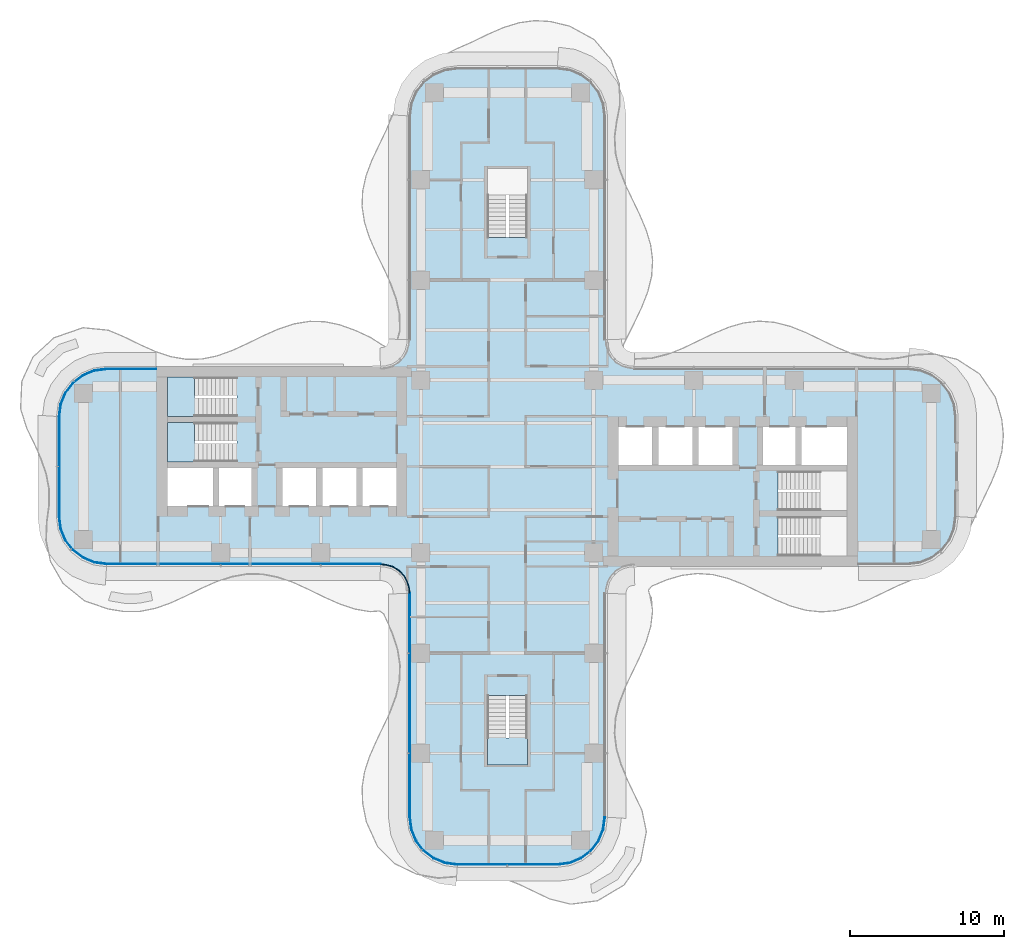
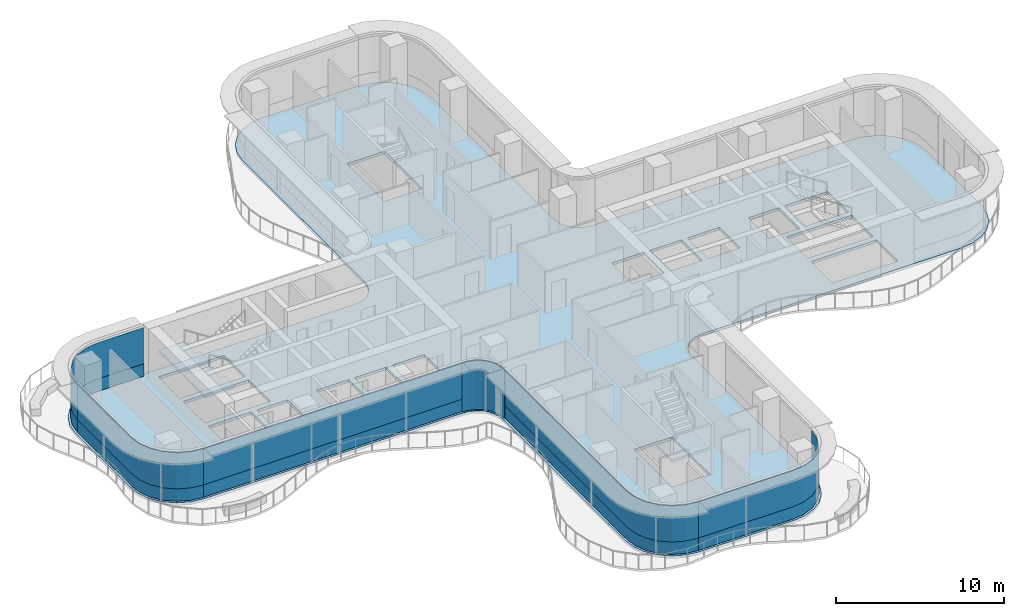
# One storey, part 9 of 17: 11 plates, 4 slabs, 9 elements without a shape of their own.
"""IFC4 building model written with IfcOpenShell, lengths in metres."""

from ifc_helpers import new_model, si_unit, direction, frame, origin, place, context, subcontext, project, spatial, polyline, outline, extrude, source, transform, mapped, material, layer, layer_set, type_object, element, aggregate, save


model = new_model("IFC4")

# Units and contexts
model_context = context("Model", 3, precision=1e-05, world=origin(), true_north=direction((0.0, 1.0)))
body_context = subcontext(model_context, "Body", "Model", "MODEL_VIEW")
ifc_project = project(units=[si_unit("LENGTHUNIT", "METRE"), si_unit("AREAUNIT", "SQUARE_METRE"), si_unit("VOLUMEUNIT", "CUBIC_METRE"), si_unit("PLANEANGLEUNIT", "RADIAN"), si_unit("MASSUNIT", "GRAM", prefix="KILO")], contexts=[model_context])

# Site, building, storey
site_placement = place(None, origin())
site = spatial("IfcSite", under=ifc_project, at=site_placement, CompositionType="ELEMENT")
building_placement = place(site_placement, origin())
building = spatial("IfcBuilding", under=site, at=building_placement, Name="Trellis Farm Tower", CompositionType="ELEMENT")
storey_placement = place(building_placement, frame((0.0, 0.0, 181.5)))
storey = spatial("IfcBuildingStorey", under=building, at=storey_placement, Name="L39", CompositionType="ELEMENT", Elevation=181.5)

# Slab
ifc_material_1 = material(Name="Concrete C40/50", Category="concrete")
ifc_layer_1 = layer(ifc_material_1, 0.199951171875)
ifc_layer_set_1 = layer_set([ifc_layer_1], Name="Composite deck floor slab 200")
slab_type_1 = type_object("IfcSlabType", Name="Composite deck floor slab 200", PredefinedType="FLOOR", material=ifc_layer_set_1)
shared_shape_1 = source(origin(), body_context, "Body", "SweptSolid", [
    extrude(outline(polyline([(-26.84130859375, -6.389404296875), (-27.625, -6.064697265625), (-28.298095703125, -5.548095703125), (-28.814697265625, -4.875), (-29.139404296875, -4.09130859375), (-29.25, -3.25), (-29.25, 3.25), (-29.139404296875, 4.09130859375), (-28.814697265625, 4.875), (-28.298095703125, 5.548095703125), (-27.625, 6.064697265625), (-26.84130859375, 6.389404296875), (-26.0, 6.5), (-8.2314453125, 6.5), (-8.01953125, 6.513916015625), (-7.91552734375, 6.527587890625), (-7.508544921875, 6.63671875), (-7.144287109375, 6.846923828125), (-6.846923828125, 7.144287109375), (-6.63671875, 7.508544921875), (-6.527587890625, 7.91552734375), (-6.513916015625, 8.01953125), (-6.5, 8.2314453125), (-6.5, 22.75), (-6.389404296875, 23.59130859375), (-6.064697265625, 24.375), (-5.548095703125, 25.048095703125), (-4.875, 25.564697265625), (-4.09130859375, 25.889404296875), (-3.25, 26.0), (3.25, 26.0), (4.09130859375, 25.889404296875), (4.875, 25.564697265625), (5.548095703125, 25.048095703125), (6.064697265625, 24.375), (6.389404296875, 23.59130859375), (6.5, 22.75), (6.5, 8.2314453125), (6.513916015625, 8.01953125), (6.527587890625, 7.91552734375), (6.63671875, 7.508544921875), (6.846923828125, 7.144287109375), (7.144287109375, 6.846923828125), (7.508544921875, 6.63671875), (7.91552734375, 6.527587890625), (8.01953125, 6.513916015625), (8.2314453125, 6.5), (26.0, 6.5), (26.84130859375, 6.389404296875), (27.625, 6.064697265625), (28.298095703125, 5.548095703125), (28.814697265625, 4.875), (29.139404296875, 4.09130859375), (29.25, 3.25), (29.25, -3.25), (29.139404296875, -4.09130859375), (28.814697265625, -4.875), (28.298095703125, -5.548095703125), (27.625, -6.064697265625), (26.84130859375, -6.389404296875), (26.0, -6.5), (8.2314453125, -6.5), (8.01953125, -6.513916015625), (7.91552734375, -6.527587890625), (7.508544921875, -6.63671875), (7.144287109375, -6.846923828125), (6.846923828125, -7.144287109375), (6.63671875, -7.508544921875), (6.527587890625, -7.91552734375), (6.513916015625, -8.01953125), (6.5, -8.2314453125), (6.5, -22.75), (6.389404296875, -23.59130859375), (6.064697265625, -24.375), (5.548095703125, -25.048095703125), (4.875, -25.564697265625), (4.09130859375, -25.889404296875), (3.25, -26.0), (-3.25, -26.0), (-4.09130859375, -25.889404296875), (-4.875, -25.564697265625), (-5.548095703125, -25.048095703125), (-6.064697265625, -24.375), (-6.389404296875, -23.59130859375), (-6.5, -22.75), (-6.5, -8.2314453125), (-6.513916015625, -8.01953125), (-6.527587890625, -7.91552734375), (-6.63671875, -7.508544921875), (-6.846923828125, -7.144287109375), (-7.144287109375, -6.846923828125), (-7.508544921875, -6.63671875), (-7.91552734375, -6.527587890625), (-8.01953125, -6.513916015625), (-8.2314453125, -6.5), (-26.0, -6.5), (-26.84130859375, -6.389404296875)]), holes=[polyline([(-22.050048828125, -0.10009765625), (-22.050048828125, -2.550048828125), (-19.10009765625, -2.550048828125), (-19.10009765625, -0.10009765625), (-22.050048828125, -0.10009765625)]), polyline([(-18.699951171875, -0.10009765625), (-18.699951171875, -2.550048828125), (-16.60009765625, -2.550048828125), (-16.60009765625, -0.10009765625), (-18.699951171875, -0.10009765625)]), polyline([(-14.60009765625, -0.10009765625), (-14.60009765625, -2.550048828125), (-12.39990234375, -2.550048828125), (-12.39990234375, -0.10009765625), (-14.60009765625, -0.10009765625)]), polyline([(-12.0, -0.10009765625), (-12.0, -2.550048828125), (-9.800048828125, -2.550048828125), (-9.800048828125, -0.10009765625), (-12.0, -0.10009765625)]), polyline([(-9.39990234375, -0.10009765625), (-9.39990234375, -2.550048828125), (-7.199951171875, -2.550048828125), (-7.199951171875, -0.10009765625), (-9.39990234375, -0.10009765625)]), polyline([(-17.56201171875, 1.64990234375), (-17.56201171875, 2.85009765625), (-22.050048828125, 2.85009765625), (-22.050048828125, 0.300048828125), (-17.56005859375, 0.300048828125), (-17.56005859375, 1.5), (-17.550048828125, 1.5), (-17.550048828125, 1.64990234375), (-17.56201171875, 1.64990234375)]), polyline([(-17.56201171875, 4.60009765625), (-17.56201171875, 5.800048828125), (-22.050048828125, 5.800048828125), (-22.050048828125, 3.25), (-17.56005859375, 3.25), (-17.56005859375, 4.449951171875), (-17.550048828125, 4.449951171875), (-17.550048828125, 4.60009765625), (-17.56201171875, 4.60009765625)]), polyline([(0.10009765625, 14.862060546875), (1.300048828125, 14.862060546875), (1.300048828125, 19.35009765625), (-1.300048828125, 19.35009765625), (-1.300048828125, 14.860107421875), (-0.10009765625, 14.860107421875), (-0.10009765625, 14.85009765625), (0.10009765625, 14.85009765625), (0.10009765625, 14.862060546875)]), polyline([(-0.10009765625, -14.862060546875), (-1.300048828125, -14.862060546875), (-1.300048828125, -19.35009765625), (1.300048828125, -19.35009765625), (1.300048828125, -14.860107421875), (0.10009765625, -14.860107421875), (0.10009765625, -14.85009765625), (-0.10009765625, -14.85009765625), (-0.10009765625, -14.862060546875)]), polyline([(17.56201171875, -4.60009765625), (17.56201171875, -5.800048828125), (22.050048828125, -5.800048828125), (22.050048828125, -3.25), (17.56005859375, -3.25), (17.56005859375, -4.449951171875), (17.550048828125, -4.449951171875), (17.550048828125, -4.60009765625), (17.56201171875, -4.60009765625)]), polyline([(17.56201171875, -1.64990234375), (17.56201171875, -2.85009765625), (22.050048828125, -2.85009765625), (22.050048828125, -0.300048828125), (17.56005859375, -0.300048828125), (17.56005859375, -1.5), (17.550048828125, -1.5), (17.550048828125, -1.64990234375), (17.56201171875, -1.64990234375)]), polyline([(9.39990234375, 0.10009765625), (9.39990234375, 2.550048828125), (7.199951171875, 2.550048828125), (7.199951171875, 0.10009765625), (9.39990234375, 0.10009765625)]), polyline([(12.0, 0.10009765625), (12.0, 2.550048828125), (9.800048828125, 2.550048828125), (9.800048828125, 0.10009765625), (12.0, 0.10009765625)]), polyline([(14.60009765625, 0.10009765625), (14.60009765625, 2.550048828125), (12.39990234375, 2.550048828125), (12.39990234375, 0.10009765625), (14.60009765625, 0.10009765625)]), polyline([(18.699951171875, 0.10009765625), (18.699951171875, 2.550048828125), (16.60009765625, 2.550048828125), (16.60009765625, 0.10009765625), (18.699951171875, 0.10009765625)]), polyline([(22.050048828125, 0.10009765625), (22.050048828125, 2.550048828125), (19.10009765625, 2.550048828125), (19.10009765625, 0.10009765625), (22.050048828125, 0.10009765625)])]), origin(), (0.0, 0.0, 1.0), 0.199951171875),
])
slab_1_placement = place(storey_placement, frame((0.0, 0.0, -0.199951171875)))
element("IfcSlab", 1, at=slab_1_placement, inside=storey, type_object=slab_type_1, Name="Floor slab", PredefinedType="FLOOR", context=body_context, shape_type="MappedRepresentation", body=[
    mapped(shared_shape_1, transform((0.0, 0.0, 0.0))),
])

# Stair, slab
ifc_material_2 = material(Name="Concrete C50/60", Category="concrete")
stair_type = type_object("IfcStairType", Name="CORE EXIT STAIR 22 RISERS 177 MM", PredefinedType="HALF_TURN_STAIR", material=ifc_material_2)
placement_1 = place(storey_placement, origin())
stair_1 = element("IfcStair", 2, at=placement_1, inside=storey, type_object=stair_type, Name="Exit stair S", PredefinedType="HALF_TURN_STAIR")
ifc_layer_2 = layer(ifc_material_2, 0.18994140625)
ifc_layer_set_2 = layer_set([ifc_layer_2], Name="CORE STAIR LANDING 190 CONCRETE C50/60")
slab_type_2 = type_object("IfcSlabType", Name="CORE STAIR LANDING 190 CONCRETE C50/60", PredefinedType="LANDING", material=ifc_layer_set_2)
shared_shape_2 = source(origin(), body_context, "Body", "SweptSolid", [
    extrude(outline(polyline([(1.300048828125, -19.35009765625), (-1.300048828125, -19.35009765625), (-1.300048828125, -17.60009765625), (-1.300048828125, -17.590087890625), (-0.10009765625, -17.590087890625), (-0.10009765625, -17.60009765625), (0.10009765625, -17.60009765625), (0.10009765625, -17.27197265625), (1.300048828125, -17.27197265625), (1.300048828125, -17.60009765625), (1.300048828125, -19.35009765625)])), origin(), (0.0, 0.0, 1.0), 0.18994140625),
])
placement_2 = place(storey_placement, frame((0.0, 0.0, 1.760009765625)))
slab_2 = element("IfcSlab", 3, at=placement_2, type_object=slab_type_2, Name="STS landing 1", PredefinedType="LANDING", context=body_context, shape_type="MappedRepresentation", body=[
    mapped(shared_shape_2, transform((0.0, 0.0, 0.0))),
])
aggregate(stair_1, [slab_2])

stair_2 = element("IfcStair", 4, at=placement_1, inside=storey, type_object=stair_type, Name="Exit stair W1", PredefinedType="HALF_TURN_STAIR")
shared_shape_3 = source(origin(), body_context, "Body", "SweptSolid", [
    extrude(outline(polyline([(-19.971923828125, 4.449951171875), (-19.971923828125, 3.25), (-20.300048828125, 3.25), (-22.050048828125, 3.25), (-22.050048828125, 5.800048828125), (-20.300048828125, 5.800048828125), (-20.2900390625, 5.800048828125), (-20.2900390625, 4.60009765625), (-20.300048828125, 4.60009765625), (-20.300048828125, 4.449951171875), (-19.971923828125, 4.449951171875)])), origin(), (0.0, 0.0, 1.0), 0.18994140625),
])
slab_3 = element("IfcSlab", 5, at=placement_2, type_object=slab_type_2, Name="STW1 landing 1", PredefinedType="LANDING", context=body_context, shape_type="MappedRepresentation", body=[
    mapped(shared_shape_3, transform((0.0, 0.0, 0.0))),
])
aggregate(stair_2, [slab_3])

stair_3 = element("IfcStair", 6, at=placement_1, inside=storey, type_object=stair_type, Name="Exit stair W2", PredefinedType="HALF_TURN_STAIR")
shared_shape_4 = source(origin(), body_context, "Body", "SweptSolid", [
    extrude(outline(polyline([(-19.971923828125, 1.5), (-19.971923828125, 0.300048828125), (-20.300048828125, 0.300048828125), (-22.050048828125, 0.300048828125), (-22.050048828125, 2.85009765625), (-20.300048828125, 2.85009765625), (-20.2900390625, 2.85009765625), (-20.2900390625, 1.64990234375), (-20.300048828125, 1.64990234375), (-20.300048828125, 1.5), (-19.971923828125, 1.5)])), origin(), (0.0, 0.0, 1.0), 0.18994140625),
])
slab_4 = element("IfcSlab", 7, at=placement_2, type_object=slab_type_2, Name="STW2 landing 1", PredefinedType="LANDING", context=body_context, shape_type="MappedRepresentation", body=[
    mapped(shared_shape_4, transform((0.0, 0.0, 0.0))),
])
aggregate(stair_3, [slab_4])

# Curtain wall, plate
ifc_material_3 = material(Name="Aluminium and glass curtain wall", Category="aluminium")
ifc_layer_3 = layer(ifc_material_3, 0.18994140625)
ifc_layer_set_3 = layer_set([ifc_layer_3], Name="RIBBON CURTAIN WALL CW1")
curtain_wall_type_1 = type_object("IfcCurtainWallType", Name="RIBBON CURTAIN WALL CW1", PredefinedType="NOTDEFINED", material=ifc_layer_set_3)
curtain_wall_1 = element("IfcCurtainWall", 8, at=placement_1, inside=storey, type_object=curtain_wall_type_1, Name="CW1 002", PredefinedType="NOTDEFINED")
ifc_material_4 = material(Name="Sandstone faced insulated panel", Category="masonry")
ifc_layer_4 = layer(ifc_material_4, 0.050048828125)
ifc_layer_set_4 = layer_set([ifc_layer_4], Name="CW1 STONE SPANDREL PANEL 50")
plate_type_1 = type_object("IfcPlateType", Name="CW1 STONE SPANDREL PANEL 50", PredefinedType="CURTAIN_PANEL", material=ifc_layer_set_4)
shared_shape_5 = source(origin(), body_context, "Body", "SweptSolid", [
    extrude(outline(polyline([(-6.35009765625, -8.2265625), (-6.35009765625, -22.740234375), (-6.2431640625, -23.552001953125), (-5.93359375, -24.29931640625), (-5.441162109375, -24.941162109375), (-4.79931640625, -25.43359375), (-4.052001953125, -25.7431640625), (-3.240234375, -25.85009765625), (-3.23681640625, -25.800048828125), (-4.0390625, -25.6943359375), (-4.774169921875, -25.389892578125), (-5.405517578125, -24.905517578125), (-5.889892578125, -24.274169921875), (-6.1943359375, -23.5390625), (-6.300048828125, -22.73681640625), (-6.300048828125, -8.224853515625), (-6.35009765625, -8.2265625)])), origin(), (0.0, 0.0, 1.0), 0.89990234375),
])
plate_1 = element("IfcPlate", 9, at=placement_1, type_object=plate_type_1, Name="PS1 002", PredefinedType="CURTAIN_PANEL", context=body_context, shape_type="MappedRepresentation", body=[
    mapped(shared_shape_5, transform((0.0, 0.0, 0.0))),
])

curtain_wall_2 = element("IfcCurtainWall", 10, at=placement_1, inside=storey, type_object=curtain_wall_type_1, Name="CW1 003", PredefinedType="NOTDEFINED")
shared_shape_6 = source(origin(), body_context, "Body", "SweptSolid", [
    extrude(outline(polyline([(-3.240234375, -25.85009765625), (3.240234375, -25.85009765625), (4.052001953125, -25.7431640625), (4.79931640625, -25.43359375), (5.441162109375, -24.941162109375), (5.93359375, -24.29931640625), (6.2431640625, -23.552001953125), (6.35009765625, -22.740234375), (6.300048828125, -22.73681640625), (6.1943359375, -23.5390625), (5.889892578125, -24.274169921875), (5.405517578125, -24.905517578125), (4.774169921875, -25.389892578125), (4.0390625, -25.6943359375), (3.23681640625, -25.800048828125), (-3.23681640625, -25.800048828125), (-3.240234375, -25.85009765625)])), origin(), (0.0, 0.0, 1.0), 0.89990234375),
])
plate_2 = element("IfcPlate", 11, at=placement_1, type_object=plate_type_1, Name="PS1 003", PredefinedType="CURTAIN_PANEL", context=body_context, shape_type="MappedRepresentation", body=[
    mapped(shared_shape_6, transform((0.0, 0.0, 0.0))),
])

ifc_layer_5 = layer(ifc_material_3, 0.166015625)
ifc_layer_set_5 = layer_set([ifc_layer_5], Name="WINTER GARDEN CURTAIN WALL CW3")
curtain_wall_type_2 = type_object("IfcCurtainWallType", Name="WINTER GARDEN CURTAIN WALL CW3", PredefinedType="NOTDEFINED", material=ifc_layer_set_5)
curtain_wall_3 = element("IfcCurtainWall", 12, at=placement_1, inside=storey, type_object=curtain_wall_type_2, Name="CW3 001", PredefinedType="NOTDEFINED")
ifc_material_5 = material(Name="Clear insulated glass", Category="glass")
ifc_layer_6 = layer(ifc_material_5, 0.0458984375)
ifc_layer_set_6 = layer_set([ifc_layer_6], Name="CW3 GLASS PANEL 46")
plate_type_2 = type_object("IfcPlateType", Name="CW3 GLASS PANEL 46", PredefinedType="CURTAIN_PANEL", material=ifc_layer_set_6)
shared_shape_7 = source(origin(), body_context, "Body", "SweptSolid", [
    extrude(outline(polyline([(-8.2275390625, -6.3798828125), (-8.0078125, -6.394287109375), (-7.89208984375, -6.40966796875), (-7.462158203125, -6.52490234375), (-7.070556640625, -6.7509765625), (-6.7509765625, -7.070556640625), (-6.52490234375, -7.462158203125), (-6.40966796875, -7.89208984375), (-6.394287109375, -8.0078125), (-6.3798828125, -8.2275390625), (-6.333984375, -8.22607421875), (-6.3486328125, -8.003173828125), (-6.364501953125, -7.883056640625), (-6.48193359375, -7.4443359375), (-6.714111328125, -7.04248046875), (-7.04248046875, -6.714111328125), (-7.4443359375, -6.48193359375), (-7.883056640625, -6.364501953125), (-8.003173828125, -6.3486328125), (-8.22607421875, -6.333984375), (-8.2275390625, -6.3798828125)])), origin(), (0.0, 0.0, 1.0), 3.550048828125),
])
plate_3 = element("IfcPlate", 13, at=placement_1, type_object=plate_type_2, Name="PL3 001", PredefinedType="CURTAIN_PANEL", context=body_context, shape_type="MappedRepresentation", body=[
    mapped(shared_shape_7, transform((0.0, 0.0, 0.0))),
])
aggregate(curtain_wall_3, [plate_3])

# Curtain wall, plates
curtain_wall_4 = element("IfcCurtainWall", 14, at=placement_1, inside=storey, type_object=curtain_wall_type_1, Name="CW1 001", PredefinedType="NOTDEFINED")
ifc_layer_7 = layer(ifc_material_5, 0.0400390625)
ifc_layer_set_7 = layer_set([ifc_layer_7], Name="CW1 GLASS PANEL 40")
plate_type_3 = type_object("IfcPlateType", Name="CW1 GLASS PANEL 40", PredefinedType="CURTAIN_PANEL", material=ifc_layer_set_7)
shared_shape_8 = source(origin(), body_context, "Body", "SweptSolid", [
    extrude(outline(polyline([(-25.990234375, -6.35009765625), (-8.2265625, -6.35009765625), (-8.22509765625, -6.31005859375), (-25.987548828125, -6.31005859375), (-25.990234375, -6.35009765625)])), origin(), (0.0, 0.0, 1.0), 2.6201171875),
])
placement_3 = place(storey_placement, frame((0.0, 0.0, 0.89990234375)))
plate_4 = element("IfcPlate", 15, at=placement_3, type_object=plate_type_3, Name="PL1 001", PredefinedType="CURTAIN_PANEL", context=body_context, shape_type="MappedRepresentation", body=[
    mapped(shared_shape_8, transform((0.0, 0.0, 0.0))),
])
shared_shape_9 = source(origin(), body_context, "Body", "SweptSolid", [
    extrude(outline(polyline([(-25.990234375, -6.35009765625), (-8.2265625, -6.35009765625), (-8.224853515625, -6.300048828125), (-25.98681640625, -6.300048828125), (-25.990234375, -6.35009765625)])), origin(), (0.0, 0.0, 1.0), 0.89990234375),
])
plate_5 = element("IfcPlate", 16, at=placement_1, type_object=plate_type_1, Name="PS1 001", PredefinedType="CURTAIN_PANEL", context=body_context, shape_type="MappedRepresentation", body=[
    mapped(shared_shape_9, transform((0.0, 0.0, 0.0))),
])
aggregate(curtain_wall_4, [plate_4, plate_5])

# Plate
shared_shape_10 = source(origin(), body_context, "Body", "SweptSolid", [
    extrude(outline(polyline([(-6.35009765625, -8.2265625), (-6.35009765625, -22.740234375), (-6.2431640625, -23.552001953125), (-5.93359375, -24.29931640625), (-5.441162109375, -24.941162109375), (-4.79931640625, -25.43359375), (-4.052001953125, -25.7431640625), (-3.240234375, -25.85009765625), (-3.237548828125, -25.81005859375), (-4.04150390625, -25.7041015625), (-4.779296875, -25.398681640625), (-5.41259765625, -24.91259765625), (-5.898681640625, -24.279296875), (-6.2041015625, -23.54150390625), (-6.31005859375, -22.737548828125), (-6.31005859375, -8.22509765625), (-6.35009765625, -8.2265625)])), origin(), (0.0, 0.0, 1.0), 2.6201171875),
])
plate_6 = element("IfcPlate", 17, at=placement_3, type_object=plate_type_3, Name="PL1 002", PredefinedType="CURTAIN_PANEL", context=body_context, shape_type="MappedRepresentation", body=[
    mapped(shared_shape_10, transform((0.0, 0.0, 0.0))),
])

aggregate(curtain_wall_1, [plate_6, plate_1])

shared_shape_11 = source(origin(), body_context, "Body", "SweptSolid", [
    extrude(outline(polyline([(-3.240234375, -25.85009765625), (3.240234375, -25.85009765625), (4.052001953125, -25.7431640625), (4.79931640625, -25.43359375), (5.441162109375, -24.941162109375), (5.93359375, -24.29931640625), (6.2431640625, -23.552001953125), (6.35009765625, -22.740234375), (6.31005859375, -22.737548828125), (6.2041015625, -23.54150390625), (5.898681640625, -24.279296875), (5.41259765625, -24.91259765625), (4.779296875, -25.398681640625), (4.04150390625, -25.7041015625), (3.237548828125, -25.81005859375), (-3.237548828125, -25.81005859375), (-3.240234375, -25.85009765625)])), origin(), (0.0, 0.0, 1.0), 2.6201171875),
])
plate_7 = element("IfcPlate", 18, at=placement_3, type_object=plate_type_3, Name="PL1 003", PredefinedType="CURTAIN_PANEL", context=body_context, shape_type="MappedRepresentation", body=[
    mapped(shared_shape_11, transform((0.0, 0.0, 0.0))),
])

aggregate(curtain_wall_2, [plate_7, plate_2])

# Curtain wall, plates
curtain_wall_5 = element("IfcCurtainWall", 19, at=placement_1, inside=storey, type_object=curtain_wall_type_1, Name="CW1 012", PredefinedType="NOTDEFINED")
shared_shape_12 = source(origin(), body_context, "Body", "SweptSolid", [
    extrude(outline(polyline([(-22.780029296875, 6.35009765625), (-25.990234375, 6.35009765625), (-26.802001953125, 6.2431640625), (-27.54931640625, 5.93359375), (-28.191162109375, 5.441162109375), (-28.68359375, 4.79931640625), (-28.9931640625, 4.052001953125), (-29.10009765625, 3.240234375), (-29.06005859375, 3.237548828125), (-28.9541015625, 4.04150390625), (-28.648681640625, 4.779296875), (-28.16259765625, 5.41259765625), (-27.529296875, 5.898681640625), (-26.79150390625, 6.2041015625), (-25.987548828125, 6.31005859375), (-22.780029296875, 6.31005859375), (-22.780029296875, 6.35009765625)])), origin(), (0.0, 0.0, 1.0), 2.6201171875),
])
plate_8 = element("IfcPlate", 20, at=placement_3, type_object=plate_type_3, Name="PL1 012", PredefinedType="CURTAIN_PANEL", context=body_context, shape_type="MappedRepresentation", body=[
    mapped(shared_shape_12, transform((0.0, 0.0, 0.0))),
])
shared_shape_13 = source(origin(), body_context, "Body", "SweptSolid", [
    extrude(outline(polyline([(-22.780029296875, 6.35009765625), (-25.990234375, 6.35009765625), (-26.802001953125, 6.2431640625), (-27.54931640625, 5.93359375), (-28.191162109375, 5.441162109375), (-28.68359375, 4.79931640625), (-28.9931640625, 4.052001953125), (-29.10009765625, 3.240234375), (-29.050048828125, 3.23681640625), (-28.9443359375, 4.0390625), (-28.639892578125, 4.774169921875), (-28.155517578125, 5.405517578125), (-27.524169921875, 5.889892578125), (-26.7890625, 6.1943359375), (-25.98681640625, 6.300048828125), (-22.780029296875, 6.300048828125), (-22.780029296875, 6.35009765625)])), origin(), (0.0, 0.0, 1.0), 0.89990234375),
])
plate_9 = element("IfcPlate", 21, at=placement_1, type_object=plate_type_1, Name="PS1 012", PredefinedType="CURTAIN_PANEL", context=body_context, shape_type="MappedRepresentation", body=[
    mapped(shared_shape_13, transform((0.0, 0.0, 0.0))),
])
aggregate(curtain_wall_5, [plate_8, plate_9])

curtain_wall_6 = element("IfcCurtainWall", 22, at=placement_1, inside=storey, type_object=curtain_wall_type_1, Name="CW1 013", PredefinedType="NOTDEFINED")
shared_shape_14 = source(origin(), body_context, "Body", "SweptSolid", [
    extrude(outline(polyline([(-29.10009765625, 3.240234375), (-29.10009765625, -3.240234375), (-28.9931640625, -4.052001953125), (-28.68359375, -4.79931640625), (-28.191162109375, -5.441162109375), (-27.54931640625, -5.93359375), (-26.802001953125, -6.2431640625), (-25.990234375, -6.35009765625), (-25.987548828125, -6.31005859375), (-26.79150390625, -6.2041015625), (-27.529296875, -5.898681640625), (-28.16259765625, -5.41259765625), (-28.648681640625, -4.779296875), (-28.9541015625, -4.04150390625), (-29.06005859375, -3.237548828125), (-29.06005859375, 3.237548828125), (-29.10009765625, 3.240234375)])), origin(), (0.0, 0.0, 1.0), 2.6201171875),
])
plate_10 = element("IfcPlate", 23, at=placement_3, type_object=plate_type_3, Name="PL1 013", PredefinedType="CURTAIN_PANEL", context=body_context, shape_type="MappedRepresentation", body=[
    mapped(shared_shape_14, transform((0.0, 0.0, 0.0))),
])
shared_shape_15 = source(origin(), body_context, "Body", "SweptSolid", [
    extrude(outline(polyline([(-29.10009765625, 3.240234375), (-29.10009765625, -3.240234375), (-28.9931640625, -4.052001953125), (-28.68359375, -4.79931640625), (-28.191162109375, -5.441162109375), (-27.54931640625, -5.93359375), (-26.802001953125, -6.2431640625), (-25.990234375, -6.35009765625), (-25.98681640625, -6.300048828125), (-26.7890625, -6.1943359375), (-27.524169921875, -5.889892578125), (-28.155517578125, -5.405517578125), (-28.639892578125, -4.774169921875), (-28.9443359375, -4.0390625), (-29.050048828125, -3.23681640625), (-29.050048828125, 3.23681640625), (-29.10009765625, 3.240234375)])), origin(), (0.0, 0.0, 1.0), 0.89990234375),
])
plate_11 = element("IfcPlate", 24, at=placement_1, type_object=plate_type_1, Name="PS1 013", PredefinedType="CURTAIN_PANEL", context=body_context, shape_type="MappedRepresentation", body=[
    mapped(shared_shape_15, transform((0.0, 0.0, 0.0))),
])
aggregate(curtain_wall_6, [plate_10, plate_11])

save(model, "model.ifc")
